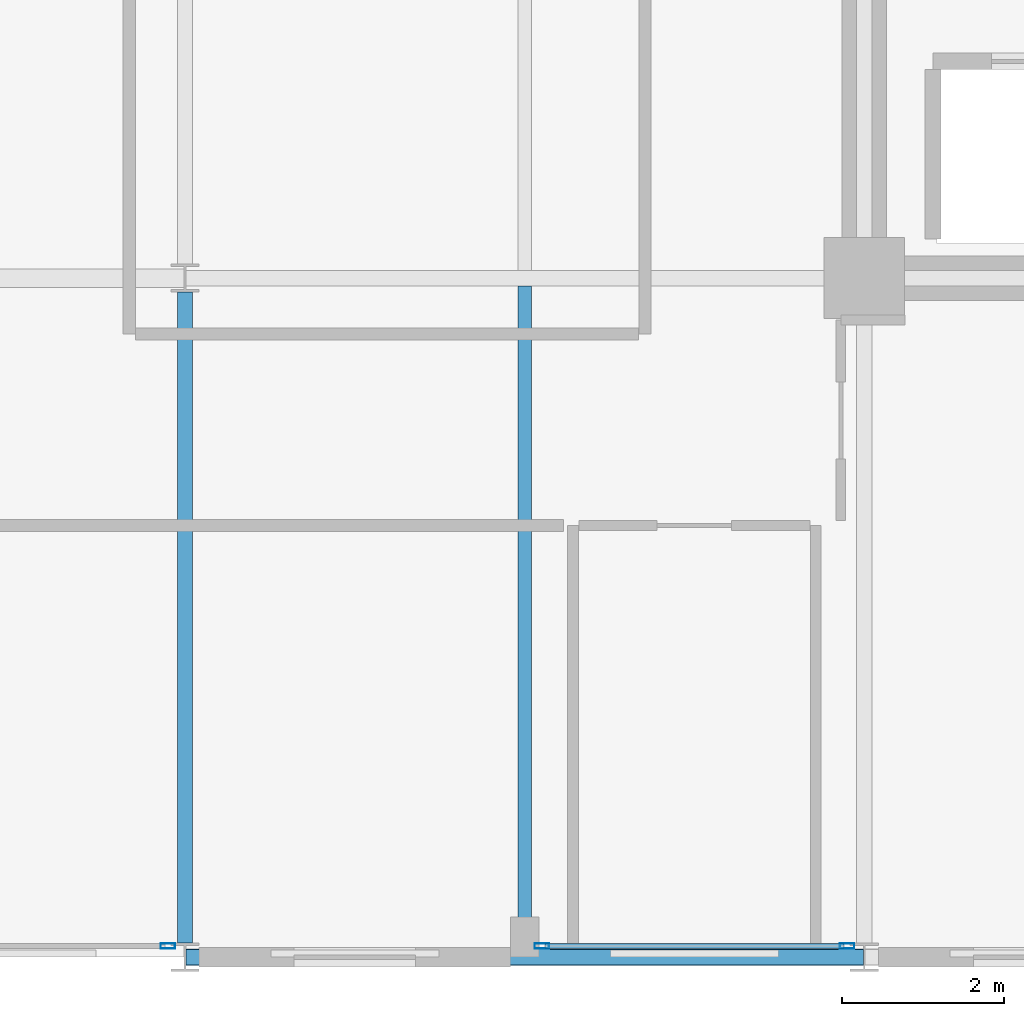
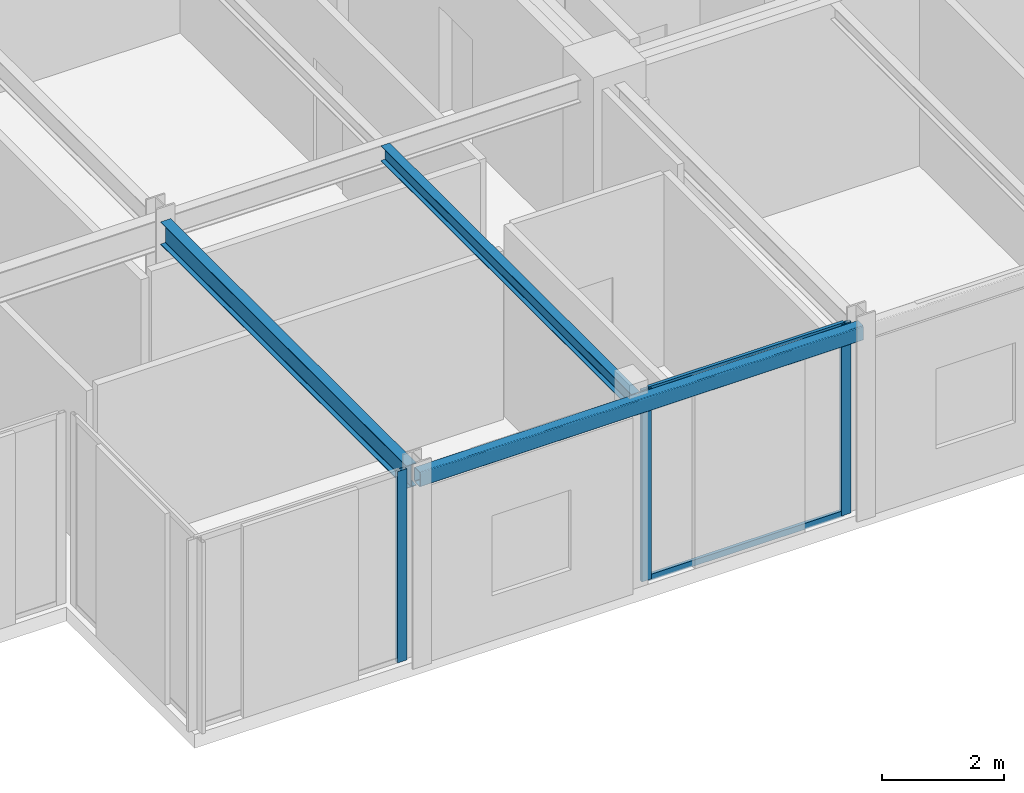
# One storey, part 6 of 29: 5 members, 3 beams, 2 elements without a shape of their own.
"""IFC4 building model written with IfcOpenShell, lengths in metres."""

from ifc_helpers import new_model, si_unit, direction, frame, origin, origin_2d, place, context, subcontext, project, spatial, hollow_rectangle, i_section, extrude, material, layer, layer_set, material_profile, profile_set, type_object, element, aggregate, save


model = new_model("IFC4")

# Units and contexts
model_context = context("Model", 3, precision=1e-05, world=origin(), true_north=direction((0.0, 1.0)))
body_context = subcontext(model_context, "Body", "Model", "MODEL_VIEW")
ifc_project = project(units=[si_unit("LENGTHUNIT", "METRE"), si_unit("AREAUNIT", "SQUARE_METRE"), si_unit("VOLUMEUNIT", "CUBIC_METRE"), si_unit("PLANEANGLEUNIT", "RADIAN"), si_unit("MASSUNIT", "GRAM", prefix="KILO")], contexts=[model_context])

# Site, building, storey
site_placement = place(None, origin())
site = spatial("IfcSite", under=ifc_project, at=site_placement, CompositionType="ELEMENT")
building_placement = place(site_placement, origin())
building = spatial("IfcBuilding", under=site, at=building_placement, Name="Nerrivon Quay Data Exchange", CompositionType="ELEMENT")
storey_placement = place(building_placement, frame((0.0, 0.0, 212.39990234375)))
storey = spatial("IfcBuildingStorey", under=building, at=storey_placement, Name="L50", CompositionType="ELEMENT", Elevation=212.39990234375)

# Beams
ifc_material_1 = material(Name="Steel Grade 350", Category="steel")
ifc_material_profile_1 = material_profile(ifc_material_1, i_section(OverallWidth=0.18994140625, OverallDepth=0.4541015625, WebThickness=0.008544921875, FlangeThickness=0.0126953125, FilletRadius=0.011474609375, at=origin_2d()), Name="460UB67.1")
ifc_profile_set_1 = profile_set([ifc_material_profile_1], Name="Steel Grade 350")
beam_type_1 = type_object("IfcBeamType", Name="BM-G6-460UB67", PredefinedType="BEAM", material=ifc_profile_set_1)
beam_1_placement = place(storey_placement, frame((8.39990234375, 0.175048828125, 3.59814453125), z_axis=(0.0, 1.0, 0.0), x_axis=(-1.0, 0.0, 0.0)))
element("IfcBeam", 1, at=beam_1_placement, inside=storey, type_object=beam_type_1, Name="L50 NS Girder X=8.4 (0.0..8.4)", PredefinedType="BEAM", context=body_context, shape_type="SweptSolid", body=[
    extrude(i_section(OverallWidth=0.18994140625, OverallDepth=0.4541015625, WebThickness=0.008544921875, FlangeThickness=0.0126953125, FilletRadius=0.011474609375, at=origin_2d()), origin(), (0.0, 0.0, 1.0), 8.050048828125),
])
ifc_material_profile_2 = material_profile(ifc_material_1, i_section(OverallWidth=0.166015625, OverallDepth=0.306884765625, WebThickness=0.006591796875, FlangeThickness=0.01171875, FilletRadius=0.011474609375, at=origin_2d()), Name="310UB46.2")
ifc_profile_set_2 = profile_set([ifc_material_profile_2], Name="Steel Grade 350")
beam_type_2 = type_object("IfcBeamType", Name="BM-J5-310UB46", PredefinedType="JOIST", material=ifc_profile_set_2)
beam_2_placement = place(storey_placement, frame((12.60009765625, 0.10009765625, 3.671630859375), z_axis=(0.0, 1.0, 0.0), x_axis=(-1.0, 0.0, 0.0)))
element("IfcBeam", 2, at=beam_2_placement, inside=storey, type_object=beam_type_2, Name="L50 Secondary Joist X=12.6 (0.0..8.4)", PredefinedType="JOIST", context=body_context, shape_type="SweptSolid", body=[
    extrude(i_section(OverallWidth=0.166015625, OverallDepth=0.306884765625, WebThickness=0.006591796875, FlangeThickness=0.01171875, FilletRadius=0.011474609375, at=origin_2d()), origin(), (0.0, 0.0, 1.0), 8.204345703125),
])
ifc_material_2 = material(Name="Steel Grade C350L0 (350 MPa)", Category="steel")
ifc_material_profile_3 = material_profile(ifc_material_2, hollow_rectangle(XDim=0.199951171875, YDim=0.300048828125, WallThickness=0.012451171875, InnerFilletRadius=0.018798828125, OuterFilletRadius=0.03125, at=origin_2d()), Name="300x200x12.5RHS")
ifc_profile_set_3 = profile_set([ifc_material_profile_3], Name="Steel Grade C350L0 (350 MPa)")
beam_type_3 = type_object("IfcBeamType", Name="BM-SP3-300x200RHS", PredefinedType="SPANDREL", material=ifc_profile_set_3)
beam_3_placement = place(storey_placement, frame((8.409912109375, 0.0, 3.675048828125), z_axis=(1.0, 0.0, 0.0), x_axis=(0.0, 1.0, 0.0)))
element("IfcBeam", 3, at=beam_3_placement, inside=storey, type_object=beam_type_3, Name="L50 EW Girder Y=0.0 (8.4..16.8)", PredefinedType="SPANDREL", context=body_context, shape_type="SweptSolid", body=[
    extrude(hollow_rectangle(XDim=0.199951171875, YDim=0.300048828125, WallThickness=0.012451171875, InnerFilletRadius=0.018798828125, OuterFilletRadius=0.03125, at=origin_2d()), origin(), (0.0, 0.0, 1.0), 8.380126953125),
])

# Curtain wall, members
ifc_material_3 = material(Name="Anodised aluminium 6063-T6", Category="aluminium")
ifc_layer = layer(ifc_material_3, 0.195068359375)
ifc_layer_set = layer_set([ifc_layer], Name="Anodised aluminium 6063-T6")
curtain_wall_type = type_object("IfcCurtainWallType", Name="CW-SYS-06", PredefinedType="NOTDEFINED", material=ifc_layer_set)
curtain_wall_1_placement = place(storey_placement, origin())
curtain_wall_1 = element("IfcCurtainWall", 4, at=curtain_wall_1_placement, inside=storey, type_object=curtain_wall_type, Name="L50 Unitised Curtain Wall 26", PredefinedType="NOTDEFINED")
ifc_material_profile_4 = material_profile(ifc_material_3, hollow_rectangle(XDim=0.06494140625, YDim=0.179931640625, WallThickness=0.00341796875, at=origin_2d()), Name="ALU-MULL-180x65")
ifc_profile_set_4 = profile_set([ifc_material_profile_4], Name="Anodised aluminium 6063-T6")
member_type_1 = type_object("IfcMemberType", Name="CWM-180x65", PredefinedType="MULLION", material=ifc_profile_set_4)
member_1_placement = place(storey_placement, frame((16.58740234375, 0.139892578125, 0.0), z_axis=(0.0, 0.0, 1.0), x_axis=(0.0, -1.0, 0.0)))
member_1 = element("IfcMember", 5, at=member_1_placement, type_object=member_type_1, Name="CW06 mullion 1", PredefinedType="MULLION", context=body_context, shape_type="SweptSolid", body=[
    extrude(hollow_rectangle(XDim=0.06494140625, YDim=0.179931640625, WallThickness=0.00341796875, at=origin_2d()), origin(), (0.0, 0.0, 1.0), 3.8251953125),
])
member_2_placement = place(storey_placement, frame((12.8125, 0.139892578125, 0.0), z_axis=(0.0, 0.0, 1.0), x_axis=(0.0, -1.0, 0.0)))
member_2 = element("IfcMember", 6, at=member_2_placement, type_object=member_type_1, Name="CW06 mullion 2", PredefinedType="MULLION", context=body_context, shape_type="SweptSolid", body=[
    extrude(hollow_rectangle(XDim=0.06494140625, YDim=0.179931640625, WallThickness=0.00341796875, at=origin_2d()), origin(), (0.0, 0.0, 1.0), 3.8251953125),
])

# Curtain wall, member
curtain_wall_2_placement = place(storey_placement, origin())
curtain_wall_2 = element("IfcCurtainWall", 7, at=curtain_wall_2_placement, inside=storey, type_object=curtain_wall_type, Name="L50 Unitised Curtain Wall 28", PredefinedType="NOTDEFINED")
member_3_placement = place(storey_placement, frame((8.1875, 0.139892578125, 0.0), z_axis=(0.0, 0.0, 1.0), x_axis=(0.0, -1.0, 0.0)))
member_3 = element("IfcMember", 8, at=member_3_placement, type_object=member_type_1, Name="CW06 mullion 1", PredefinedType="MULLION", context=body_context, shape_type="SweptSolid", body=[
    extrude(hollow_rectangle(XDim=0.06494140625, YDim=0.179931640625, WallThickness=0.00341796875, at=origin_2d()), origin(), (0.0, 0.0, 1.0), 3.8251953125),
])
aggregate(curtain_wall_2, [member_3])

# Member
ifc_material_profile_5 = material_profile(ifc_material_3, hollow_rectangle(XDim=0.06005859375, YDim=0.1201171875, WallThickness=0.003173828125, at=origin_2d()), Name="ALU-TRAN-120x60")
ifc_profile_set_5 = profile_set([ifc_material_profile_5], Name="Anodised aluminium 6063-T6")
member_type_2 = type_object("IfcMemberType", Name="CWT-120x60", PredefinedType="USERDEFINED", material=ifc_profile_set_5)
member_4_placement = place(storey_placement, frame((16.550048828125, 0.139892578125, 0.03271484375), z_axis=(-1.0, 0.0, 0.0), x_axis=(0.0, -1.0, 0.0)))
member_4 = element("IfcMember", 9, at=member_4_placement, type_object=member_type_2, Name="CW06 transom 1.1", ObjectType="TRANSOM", PredefinedType="USERDEFINED", context=body_context, shape_type="SweptSolid", body=[
    extrude(hollow_rectangle(XDim=0.06005859375, YDim=0.1201171875, WallThickness=0.003173828125, at=origin_2d()), origin(), (0.0, 0.0, 1.0), 3.699951171875),
])

member_5_placement = place(storey_placement, frame((16.550048828125, 0.139892578125, 3.79248046875), z_axis=(-1.0, 0.0, 0.0), x_axis=(0.0, -1.0, 0.0)))
member_5 = element("IfcMember", 10, at=member_5_placement, type_object=member_type_2, Name="CW06 transom 1.2", ObjectType="TRANSOM", PredefinedType="USERDEFINED", context=body_context, shape_type="SweptSolid", body=[
    extrude(hollow_rectangle(XDim=0.06005859375, YDim=0.1201171875, WallThickness=0.003173828125, at=origin_2d()), origin(), (0.0, 0.0, 1.0), 3.699951171875),
])

aggregate(curtain_wall_1, [member_1, member_2, member_4, member_5])

save(model, "model.ifc")
